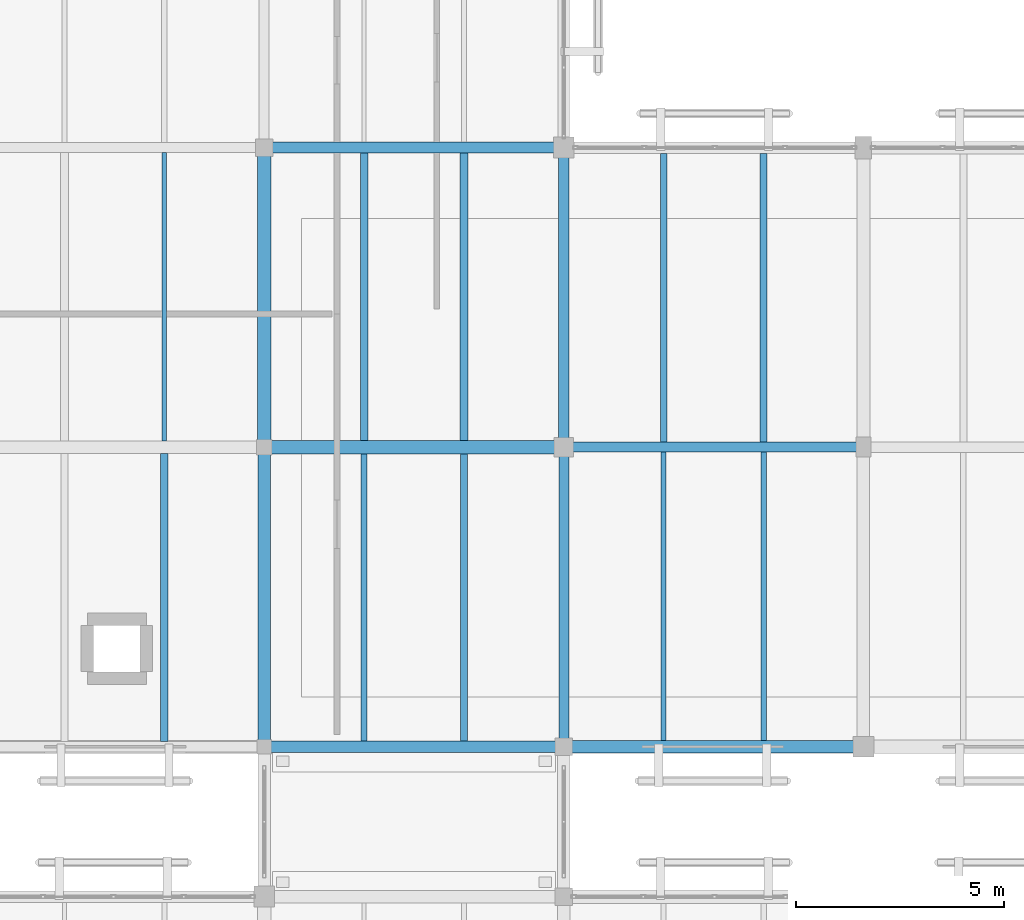
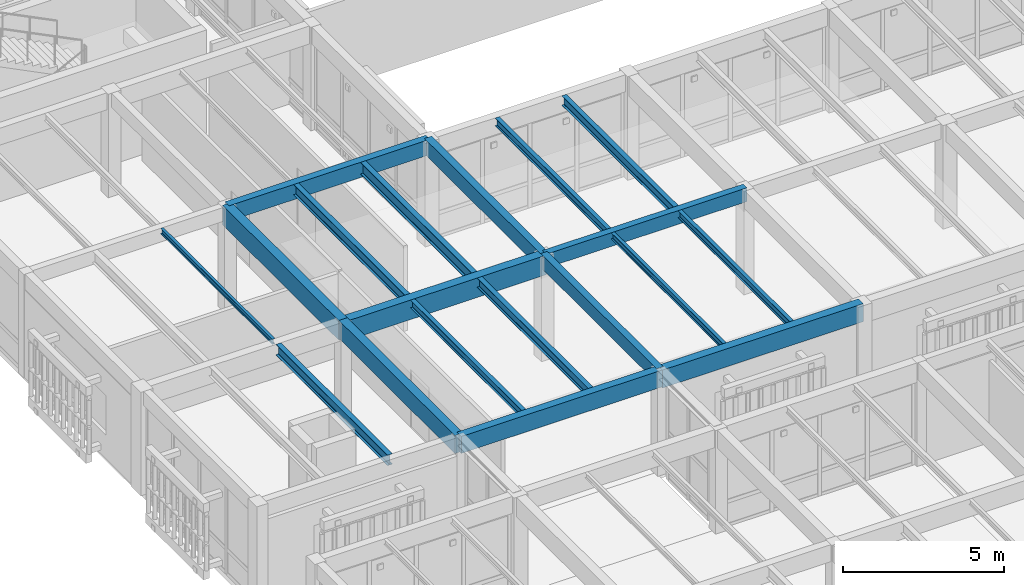
# One storey, part 140 of 217: 19 beams.
"""IFC4 building model written with IfcOpenShell, lengths in metres."""

from ifc_helpers import new_model, si_unit, direction, frame, origin, origin_2d, place, context, subcontext, project, spatial, rectangle, i_section, extrude, material, material_profile, profile_set, type_object, element, save


model = new_model("IFC4")

# Units and contexts
model_context = context("Model", 3, precision=1e-05, world=origin(), true_north=direction((0.0, 1.0)))
body_context = subcontext(model_context, "Body", "Model", "MODEL_VIEW")
ifc_project = project(units=[si_unit("LENGTHUNIT", "METRE"), si_unit("AREAUNIT", "SQUARE_METRE"), si_unit("VOLUMEUNIT", "CUBIC_METRE"), si_unit("PLANEANGLEUNIT", "RADIAN"), si_unit("MASSUNIT", "GRAM", prefix="KILO")], contexts=[model_context])

# Site, building, storey
site_placement = place(None, origin())
site = spatial("IfcSite", under=ifc_project, at=site_placement, CompositionType="ELEMENT")
building_placement = place(site_placement, origin())
building = spatial("IfcBuilding", under=site, at=building_placement, Name="Mazaris Harbour Polytechnic", CompositionType="ELEMENT")
storey_placement = place(building_placement, frame((0.0, 0.0, 9.60009765625)))
storey = spatial("IfcBuildingStorey", under=building, at=storey_placement, Name="L02", CompositionType="ELEMENT", Elevation=9.60009765625)

# Beams
ifc_material_1 = material(Name="Glulam GL32h", Category="wood")
ifc_material_profile_1 = material_profile(ifc_material_1, rectangle(XDim=0.239990234375, YDim=0.52001953125, at=origin_2d()), Name="RECT240x520")
ifc_profile_set_1 = profile_set([ifc_material_profile_1], Name="Glulam GL32h")
beam_type_1 = type_object("IfcBeamType", Name="Glulam Girder 240x520", PredefinedType="BEAM", material=ifc_profile_set_1)
for number, where, z_axis, x_axis, name in (
    (1, (136.800048828125, 54.0, 3.659912109375), (1.0, 0.0, 0.0), (0.0, 1.0, 0.0), "V5 L02 Girder 3125"),
    (2, (136.800048828125, 46.800048828125, 3.659912109375), (0.0, 1.0, 0.0), (-1.0, 0.0, 0.0), "V5 L02 Tie Girder 3185"),
):
    element("IfcBeam", number, at=place(storey_placement, frame(where, z_axis=z_axis, x_axis=x_axis)), inside=storey, type_object=beam_type_1, Name=name, PredefinedType="BEAM", context=body_context, shape_type="SweptSolid", body=[
        extrude(rectangle(XDim=0.239990234375, YDim=0.52001953125, at=origin_2d()), origin(), (0.0, 0.0, 1.0), 7.199951171875),
    ])
ifc_material_2 = material(Name="Glulam GL32h", Category="wood")
ifc_material_profile_2 = material_profile(ifc_material_2, rectangle(XDim=0.260009765625, YDim=0.580078125, at=origin_2d()), Name="RECT260x580")
ifc_profile_set_2 = profile_set([ifc_material_profile_2], Name="Glulam GL32h")
beam_type_2 = type_object("IfcBeamType", Name="Glulam Girder 260x580", PredefinedType="BEAM", material=ifc_profile_set_2)
for number, where, z_axis, x_axis, name in (
    (3, (129.60009765625, 61.199951171875, 3.6298828125), (1.0, 0.0, 0.0), (0.0, 1.0, 0.0), "V5 L02 Girder 3131"),
    (4, (136.800048828125, 54.0, 3.6298828125), (0.0, 1.0, 0.0), (-1.0, 0.0, 0.0), "V5 L02 Tie Girder 3186"),
):
    element("IfcBeam", number, at=place(storey_placement, frame(where, z_axis=z_axis, x_axis=x_axis)), inside=storey, type_object=beam_type_2, Name=name, PredefinedType="BEAM", context=body_context, shape_type="SweptSolid", body=[
        extrude(rectangle(XDim=0.260009765625, YDim=0.580078125, at=origin_2d()), origin(), (0.0, 0.0, 1.0), 7.199951171875),
    ])
ifc_material_3 = material(Name="Glulam GL32h", Category="wood")
ifc_material_profile_3 = material_profile(ifc_material_3, rectangle(XDim=0.280029296875, YDim=0.639892578125, at=origin_2d()), Name="RECT280x640")
ifc_profile_set_3 = profile_set([ifc_material_profile_3], Name="Glulam GL32h")
beam_type_3 = type_object("IfcBeamType", Name="Glulam Girder 280x640 Exterior", PredefinedType="BEAM", material=ifc_profile_set_3)
beam_1_placement = place(storey_placement, frame((129.60009765625, 46.800048828125, 3.599853515625), z_axis=(1.0, 0.0, 0.0), x_axis=(0.0, 1.0, 0.0)))
element("IfcBeam", 5, at=beam_1_placement, inside=storey, type_object=beam_type_3, Name="V5 L02 Girder 3117", PredefinedType="BEAM", context=body_context, shape_type="SweptSolid", body=[
    extrude(rectangle(XDim=0.280029296875, YDim=0.639892578125, at=origin_2d()), origin(), (0.0, 0.0, 1.0), 7.199951171875),
])
ifc_material_4 = material(Name="Glulam GL32h", Category="wood")
ifc_material_profile_4 = material_profile(ifc_material_4, rectangle(XDim=0.300048828125, YDim=0.679931640625, at=origin_2d()), Name="RECT300x680")
ifc_profile_set_4 = profile_set([ifc_material_profile_4], Name="Glulam GL32h")
beam_type_4 = type_object("IfcBeamType", Name="Glulam Girder 300x680", PredefinedType="BEAM", material=ifc_profile_set_4)
beam_2_placement = place(storey_placement, frame((129.60009765625, 46.800048828125, 3.579833984375), z_axis=(0.0, 1.0, 0.0), x_axis=(-1.0, 0.0, 0.0)))
element("IfcBeam", 6, at=beam_2_placement, inside=storey, type_object=beam_type_4, Name="V5 L02 Tie Girder 3178", PredefinedType="BEAM", context=body_context, shape_type="SweptSolid", body=[
    extrude(rectangle(XDim=0.300048828125, YDim=0.679931640625, at=origin_2d()), origin(), (0.0, 0.0, 1.0), 7.199951171875),
])
ifc_material_5 = material(Name="Glulam GL32h", Category="wood")
ifc_material_profile_5 = material_profile(ifc_material_5, rectangle(XDim=0.300048828125, YDim=0.679931640625, at=origin_2d()), Name="RECT300x680")
ifc_profile_set_5 = profile_set([ifc_material_profile_5], Name="Glulam GL32h")
beam_type_5 = type_object("IfcBeamType", Name="Glulam Girder 300x680 Exterior", PredefinedType="BEAM", material=ifc_profile_set_5)
beam_3_placement = place(storey_placement, frame((136.800048828125, 46.800048828125, 3.579833984375), z_axis=(1.0, 0.0, 0.0), x_axis=(0.0, 1.0, 0.0)))
element("IfcBeam", 7, at=beam_3_placement, inside=storey, type_object=beam_type_5, Name="V5 L02 Girder 3118", PredefinedType="BEAM", context=body_context, shape_type="SweptSolid", body=[
    extrude(rectangle(XDim=0.300048828125, YDim=0.679931640625, at=origin_2d()), origin(), (0.0, 0.0, 1.0), 7.199951171875),
])
ifc_material_6 = material(Name="Glulam GL32h", Category="wood")
ifc_material_profile_6 = material_profile(ifc_material_6, rectangle(XDim=0.320068359375, YDim=0.739990234375, at=origin_2d()), Name="RECT320x740")
ifc_profile_set_6 = profile_set([ifc_material_profile_6], Name="Glulam GL32h")
beam_type_6 = type_object("IfcBeamType", Name="Glulam Girder 320x740", PredefinedType="BEAM", material=ifc_profile_set_6)
for number, where, z_axis, x_axis, name in (
    (8, (129.60009765625, 54.0, 3.5498046875), (1.0, 0.0, 0.0), (0.0, 1.0, 0.0), "V5 L02 Girder 3124"),
    (9, (129.60009765625, 54.0, 3.5498046875), (0.0, 1.0, 0.0), (-1.0, 0.0, 0.0), "V5 L02 Tie Girder 3179"),
):
    element("IfcBeam", number, at=place(storey_placement, frame(where, z_axis=z_axis, x_axis=x_axis)), inside=storey, type_object=beam_type_6, Name=name, PredefinedType="BEAM", context=body_context, shape_type="SweptSolid", body=[
        extrude(rectangle(XDim=0.320068359375, YDim=0.739990234375, at=origin_2d()), origin(), (0.0, 0.0, 1.0), 7.199951171875),
    ])
ifc_material_7 = material(Name="Steel S355", Category="steel")
ifc_material_profile_7 = material_profile(ifc_material_7, i_section(OverallWidth=0.10009765625, OverallDepth=0.199951171875, WebThickness=0.005615234375, FlangeThickness=0.008544921875, FilletRadius=0.011962890625, at=origin_2d()), Name="IPE 200")
ifc_profile_set_7 = profile_set([ifc_material_profile_7], Name="Steel S355")
beam_type_7 = type_object("IfcBeamType", Name="Steel Joist IPE200", PredefinedType="JOIST", material=ifc_profile_set_7)
beam_4_placement = place(storey_placement, frame((127.199951171875, 54.14990234375, 3.81982421875), z_axis=(0.0, 1.0, 0.0), x_axis=(-1.0, 0.0, 0.0)))
element("IfcBeam", 10, at=beam_4_placement, inside=storey, type_object=beam_type_7, Name="V5 L02 Floor Joist 3227", PredefinedType="JOIST", context=body_context, shape_type="SweptSolid", body=[
    extrude(i_section(OverallWidth=0.10009765625, OverallDepth=0.199951171875, WebThickness=0.005615234375, FlangeThickness=0.008544921875, FilletRadius=0.011962890625, at=origin_2d()), origin(), (0.0, 0.0, 1.0), 6.93017578125),
])
ifc_material_8 = material(Name="Steel S355", Category="steel")
ifc_material_profile_8 = material_profile(ifc_material_8, i_section(OverallWidth=0.1201171875, OverallDepth=0.239990234375, WebThickness=0.006103515625, FlangeThickness=0.009765625, FilletRadius=0.014892578125, at=origin_2d()), Name="IPE 240")
ifc_profile_set_8 = profile_set([ifc_material_profile_8], Name="Steel S355")
beam_type_8 = type_object("IfcBeamType", Name="Steel Joist IPE240", PredefinedType="JOIST", material=ifc_profile_set_8)
beam_5_placement = place(storey_placement, frame((139.199951171875, 46.949951171875, 3.7998046875), z_axis=(0.0, 1.0, 0.0), x_axis=(-1.0, 0.0, 0.0)))
element("IfcBeam", 11, at=beam_5_placement, inside=storey, type_object=beam_type_8, Name="V5 L02 Floor Joist 3249", PredefinedType="JOIST", context=body_context, shape_type="SweptSolid", body=[
    extrude(i_section(OverallWidth=0.1201171875, OverallDepth=0.239990234375, WebThickness=0.006103515625, FlangeThickness=0.009765625, FilletRadius=0.014892578125, at=origin_2d()), origin(), (0.0, 0.0, 1.0), 6.929931640625),
])
ifc_material_9 = material(Name="Steel S355", Category="steel")
ifc_material_profile_9 = material_profile(ifc_material_9, i_section(OverallWidth=0.135009765625, OverallDepth=0.27001953125, WebThickness=0.006591796875, FlangeThickness=0.01025390625, FilletRadius=0.014892578125, at=origin_2d()), Name="IPE 270")
ifc_profile_set_9 = profile_set([ifc_material_profile_9], Name="Steel S355")
beam_type_9 = type_object("IfcBeamType", Name="Steel Joist IPE270", PredefinedType="JOIST", material=ifc_profile_set_9)
beam_6_placement = place(storey_placement, frame((141.60009765625, 46.949951171875, 3.784912109375), z_axis=(0.0, 1.0, 0.0), x_axis=(-1.0, 0.0, 0.0)))
element("IfcBeam", 12, at=beam_6_placement, inside=storey, type_object=beam_type_9, Name="V5 L02 Floor Joist 3250", PredefinedType="JOIST", context=body_context, shape_type="SweptSolid", body=[
    extrude(i_section(OverallWidth=0.135009765625, OverallDepth=0.27001953125, WebThickness=0.006591796875, FlangeThickness=0.01025390625, FilletRadius=0.014892578125, at=origin_2d()), origin(), (0.0, 0.0, 1.0), 6.929931640625),
])
ifc_material_10 = material(Name="Steel S355", Category="steel")
ifc_material_profile_10 = material_profile(ifc_material_10, i_section(OverallWidth=0.14990234375, OverallDepth=0.300048828125, WebThickness=0.007080078125, FlangeThickness=0.0107421875, FilletRadius=0.014892578125, at=origin_2d()), Name="IPE 300")
ifc_profile_set_10 = profile_set([ifc_material_profile_10], Name="Steel S355")
beam_type_10 = type_object("IfcBeamType", Name="Steel Joist IPE300", PredefinedType="JOIST", material=ifc_profile_set_10)
beam_7_placement = place(storey_placement, frame((132.0, 46.93994140625, 3.77001953125), z_axis=(0.0, 1.0, 0.0), x_axis=(-1.0, 0.0, 0.0)))
element("IfcBeam", 13, at=beam_7_placement, inside=storey, type_object=beam_type_10, Name="V5 L02 Floor Joist 3237", PredefinedType="JOIST", context=body_context, shape_type="SweptSolid", body=[
    extrude(i_section(OverallWidth=0.14990234375, OverallDepth=0.300048828125, WebThickness=0.007080078125, FlangeThickness=0.0107421875, FilletRadius=0.014892578125, at=origin_2d()), origin(), (0.0, 0.0, 1.0), 6.900146484375),
])
beam_8_placement = place(storey_placement, frame((139.199951171875, 54.1201171875, 3.77001953125), z_axis=(0.0, 1.0, 0.0), x_axis=(-1.0, 0.0, 0.0)))
element("IfcBeam", 14, at=beam_8_placement, inside=storey, type_object=beam_type_10, Name="V5 L02 Floor Joist 3251", PredefinedType="JOIST", context=body_context, shape_type="SweptSolid", body=[
    extrude(i_section(OverallWidth=0.14990234375, OverallDepth=0.300048828125, WebThickness=0.007080078125, FlangeThickness=0.0107421875, FilletRadius=0.014892578125, at=origin_2d()), origin(), (0.0, 0.0, 1.0), 6.93994140625),
])
ifc_material_11 = material(Name="Steel S355", Category="steel")
ifc_material_profile_11 = material_profile(ifc_material_11, i_section(OverallWidth=0.169921875, OverallDepth=0.360107421875, WebThickness=0.008056640625, FlangeThickness=0.0126953125, FilletRadius=0.01806640625, at=origin_2d()), Name="IPE 360")
ifc_profile_set_11 = profile_set([ifc_material_profile_11], Name="Steel S355")
beam_type_11 = type_object("IfcBeamType", Name="Steel Joist IPE360", PredefinedType="JOIST", material=ifc_profile_set_11)
beam_9_placement = place(storey_placement, frame((134.39990234375, 46.93994140625, 3.739990234375), z_axis=(0.0, 1.0, 0.0), x_axis=(-1.0, 0.0, 0.0)))
element("IfcBeam", 15, at=beam_9_placement, inside=storey, type_object=beam_type_11, Name="V5 L02 Floor Joist 3238", PredefinedType="JOIST", context=body_context, shape_type="SweptSolid", body=[
    extrude(i_section(OverallWidth=0.169921875, OverallDepth=0.360107421875, WebThickness=0.008056640625, FlangeThickness=0.0126953125, FilletRadius=0.01806640625, at=origin_2d()), origin(), (0.0, 0.0, 1.0), 6.900146484375),
])
beam_10_placement = place(storey_placement, frame((141.60009765625, 54.1201171875, 3.739990234375), z_axis=(0.0, 1.0, 0.0), x_axis=(-1.0, 0.0, 0.0)))
element("IfcBeam", 16, at=beam_10_placement, inside=storey, type_object=beam_type_11, Name="V5 L02 Floor Joist 3252", PredefinedType="JOIST", context=body_context, shape_type="SweptSolid", body=[
    extrude(i_section(OverallWidth=0.169921875, OverallDepth=0.360107421875, WebThickness=0.008056640625, FlangeThickness=0.0126953125, FilletRadius=0.01806640625, at=origin_2d()), origin(), (0.0, 0.0, 1.0), 6.93994140625),
])
ifc_material_12 = material(Name="Steel S355", Category="steel")
ifc_material_profile_12 = material_profile(ifc_material_12, i_section(OverallWidth=0.179931640625, OverallDepth=0.39990234375, WebThickness=0.008544921875, FlangeThickness=0.013427734375, FilletRadius=0.02099609375, at=origin_2d()), Name="IPE 400")
ifc_profile_set_12 = profile_set([ifc_material_profile_12], Name="Steel S355")
beam_type_12 = type_object("IfcBeamType", Name="Steel Joist IPE400", PredefinedType="JOIST", material=ifc_profile_set_12)
beam_11_placement = place(storey_placement, frame((127.199951171875, 46.929931640625, 3.719970703125), z_axis=(0.0, 1.0, 0.0), x_axis=(-1.0, 0.0, 0.0)))
element("IfcBeam", 17, at=beam_11_placement, inside=storey, type_object=beam_type_12, Name="V5 L02 Floor Joist 3225", PredefinedType="JOIST", context=body_context, shape_type="SweptSolid", body=[
    extrude(i_section(OverallWidth=0.179931640625, OverallDepth=0.39990234375, WebThickness=0.008544921875, FlangeThickness=0.013427734375, FilletRadius=0.02099609375, at=origin_2d()), origin(), (0.0, 0.0, 1.0), 6.920166015625),
])
beam_12_placement = place(storey_placement, frame((132.0, 54.159912109375, 3.719970703125), z_axis=(0.0, 1.0, 0.0), x_axis=(-1.0, 0.0, 0.0)))
element("IfcBeam", 18, at=beam_12_placement, inside=storey, type_object=beam_type_12, Name="V5 L02 Floor Joist 3239", PredefinedType="JOIST", context=body_context, shape_type="SweptSolid", body=[
    extrude(i_section(OverallWidth=0.179931640625, OverallDepth=0.39990234375, WebThickness=0.008544921875, FlangeThickness=0.013427734375, FilletRadius=0.02099609375, at=origin_2d()), origin(), (0.0, 0.0, 1.0), 6.91015625),
])
ifc_material_13 = material(Name="Steel S355", Category="steel")
ifc_material_profile_13 = material_profile(ifc_material_13, i_section(OverallWidth=0.18994140625, OverallDepth=0.449951171875, WebThickness=0.009521484375, FlangeThickness=0.0146484375, FilletRadius=0.02099609375, at=origin_2d()), Name="IPE 450")
ifc_profile_set_13 = profile_set([ifc_material_profile_13], Name="Steel S355")
beam_type_13 = type_object("IfcBeamType", Name="Steel Joist IPE450", PredefinedType="JOIST", material=ifc_profile_set_13)
beam_13_placement = place(storey_placement, frame((134.39990234375, 54.159912109375, 3.69482421875), z_axis=(0.0, 1.0, 0.0), x_axis=(-1.0, 0.0, 0.0)))
element("IfcBeam", 19, at=beam_13_placement, inside=storey, type_object=beam_type_13, Name="V5 L02 Floor Joist 3240", PredefinedType="JOIST", context=body_context, shape_type="SweptSolid", body=[
    extrude(i_section(OverallWidth=0.18994140625, OverallDepth=0.449951171875, WebThickness=0.009521484375, FlangeThickness=0.0146484375, FilletRadius=0.02099609375, at=origin_2d()), origin(), (0.0, 0.0, 1.0), 6.91015625),
])

save(model, "model.ifc")
